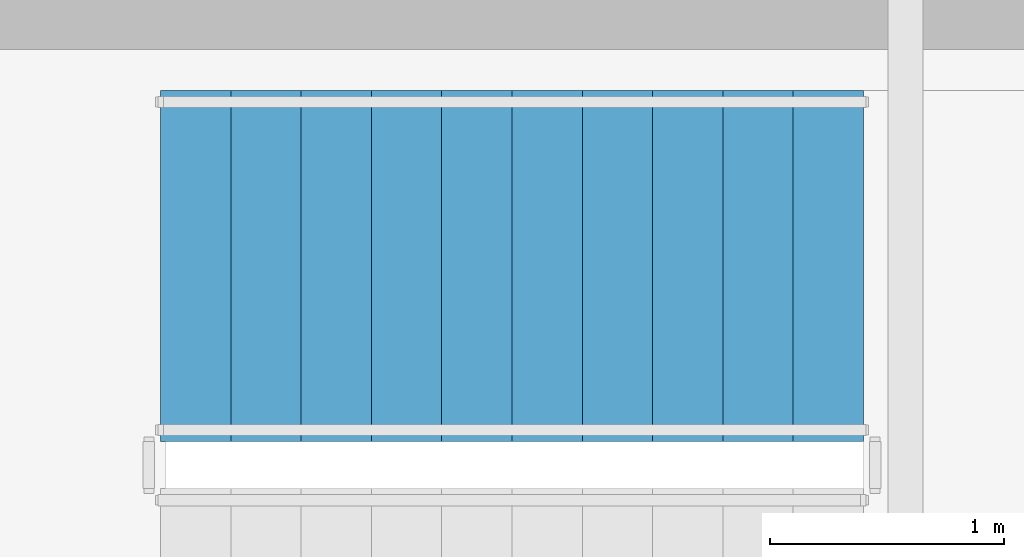
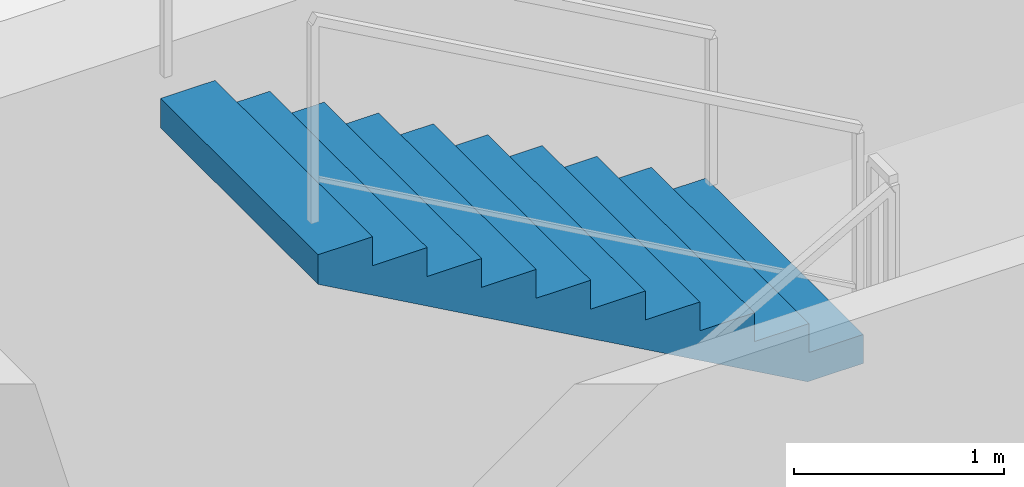
# One storey, part 13 of 15: 1 stair flight, 1 element without a shape of its own.
"""IFC4 building model written with IfcOpenShell, lengths in metres."""

from ifc_helpers import new_model, si_unit, direction, frame, origin, place, context, subcontext, project, spatial, polyline, outline, extrude, material, type_object, element, aggregate, save


model = new_model("IFC4")

# Units and contexts
model_context = context("Model", 3, precision=1e-05, world=origin(), true_north=direction((0.0, 1.0)))
body_context = subcontext(model_context, "Body", "Model", "MODEL_VIEW")
ifc_project = project(units=[si_unit("LENGTHUNIT", "METRE"), si_unit("AREAUNIT", "SQUARE_METRE"), si_unit("VOLUMEUNIT", "CUBIC_METRE"), si_unit("PLANEANGLEUNIT", "RADIAN"), si_unit("MASSUNIT", "GRAM", prefix="KILO")], contexts=[model_context])

# Site, building, storey
site_placement = place(None, origin())
site = spatial("IfcSite", under=ifc_project, at=site_placement, CompositionType="ELEMENT")
building_placement = place(site_placement, origin())
building = spatial("IfcBuilding", under=site, at=building_placement, Name="Svetorya Sky Lyceum", CompositionType="ELEMENT")
storey_placement = place(building_placement, frame((0.0, 0.0, 99.39990234375)))
storey = spatial("IfcBuildingStorey", under=building, at=storey_placement, Name="L24", CompositionType="ELEMENT", Elevation=99.39990234375)

# Stair, stair flight
ifc_material = material(Name="Concrete C40/50", Category="concrete")
stair_type = type_object("IfcStairType", Name="STR-ST-N", PredefinedType="HALF_TURN_STAIR", material=ifc_material)
stair_placement = place(storey_placement, origin())
stair = element("IfcStair", 1, at=stair_placement, inside=storey, type_object=stair_type, Name="L24 North Core Smoke-Free Exit Stair N3", PredefinedType="HALF_TURN_STAIR")
stair_flight_type = type_object("IfcStairFlightType", Name="SFL-ST-N", PredefinedType="STRAIGHT", material=ifc_material)
stair_flight_placement = place(storey_placement, frame((30.699951171875, 44.60009765625, 1.85009765625), z_axis=(0.0, 0.0, 1.0), x_axis=(-1.0, 0.0, 0.0)))
stair_flight = element("IfcStairFlight", 2, at=stair_flight_placement, type_object=stair_flight_type, Name="ST-N flight 2", NumberOfRisers=11, NumberOfTreads=10, PredefinedType="STRAIGHT", RiserHeight=0.168181818, TreadLength=0.3, context=body_context, shape_type="SweptSolid", body=[
    extrude(outline(polyline([(0.0, 0.0), (0.0, 0.168212890625), (0.300048828125, 0.168212890625), (0.300048828125, 0.33642578125), (0.60009765625, 0.33642578125), (0.60009765625, 0.504638671875), (0.89990234375, 0.504638671875), (0.89990234375, 0.672607421875), (1.199951171875, 0.672607421875), (1.199951171875, 0.8408203125), (1.5, 0.8408203125), (1.5, 1.009033203125), (1.800048828125, 1.009033203125), (1.800048828125, 1.17724609375), (2.10009765625, 1.17724609375), (2.10009765625, 1.345458984375), (2.39990234375, 1.345458984375), (2.39990234375, 1.513671875), (2.699951171875, 1.513671875), (2.699951171875, 1.681884765625), (3.0, 1.681884765625), (3.0, 1.85009765625), (3.0, 1.510009765625), (0.306640625, 0.0), (0.0, 0.0)])), frame((0.0, 0.75, 0.0), z_axis=(0.0, -1.0, 0.0), x_axis=(1.0, 0.0, 0.0)), (0.0, 0.0, 1.0), 1.5),
])
aggregate(stair, [stair_flight])

save(model, "model.ifc")
